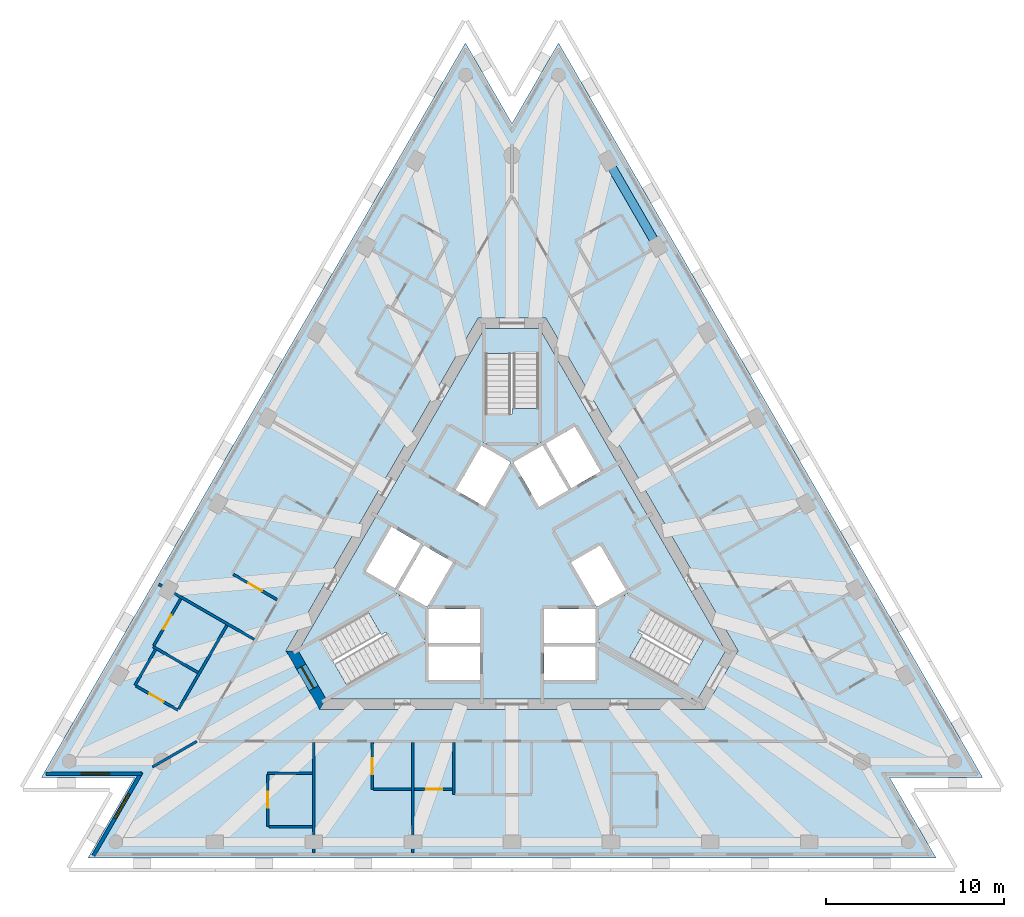
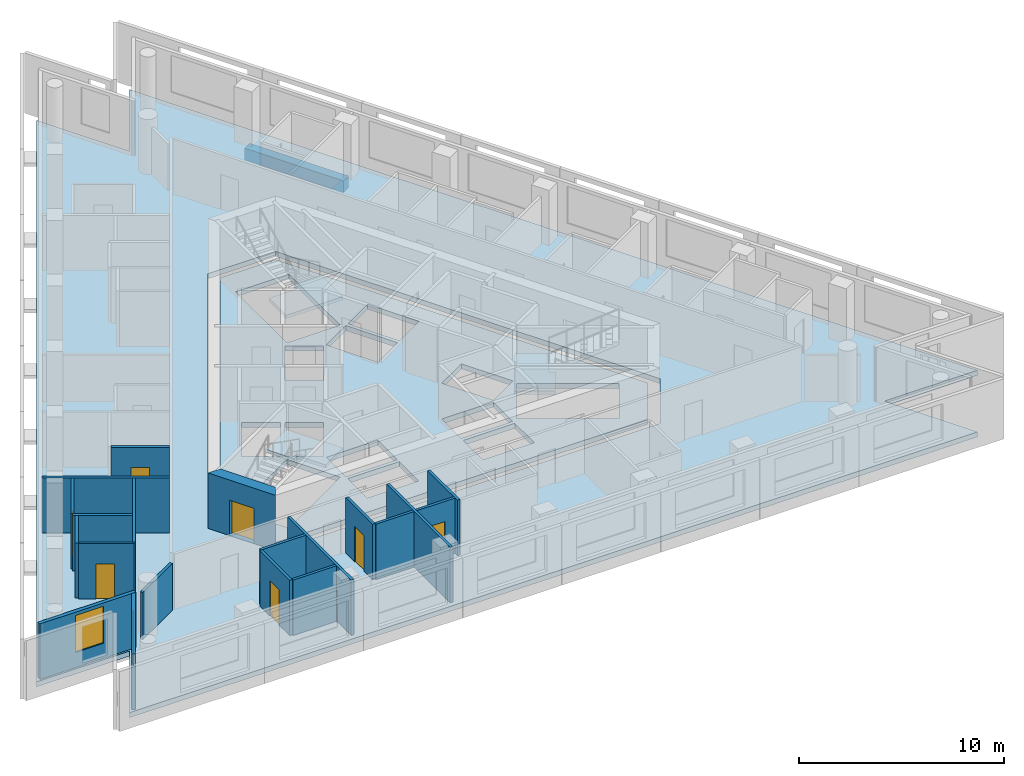
# One storey, part 2 of 10: 20 walls, 7 doors, 5 slabs, 2 windows, 1 beam, 9 openings, 3 elements without a shape of their own.
"""IFC4 building model written with IfcOpenShell, lengths in metres."""

import ifcopenshell
import ifcopenshell.guid

model = None  # the IFC model being written
_history = None  # IfcOwnerHistory: only IFC2X3 demands one
_inside = {}  # id of a spatial element -> (the spatial element, [elements in it])
_under = {}  # id of a project, library or spatial element -> (it, [spatial elements below it])
_declared = {}  # id of a project -> (the project, [libraries it declares])
_typed = {}  # id of a type object -> (the type object, [elements of that type])
_made_of = {}  # id of a material, layer set ... -> (it, [elements and type objects made of it])


def new_model(schema):
    """Start an empty IFC model of exactly this schema.

    Asked for "IFC4X3", IfcOpenShell would pick the latest addendum, in which some entities
    have other attributes; the version numbers below select the first issue.
    IFC2X3 requires an IfcOwnerHistory on every rooted entity: one is made here for all.
    """
    global model, _history
    if schema == "IFC4X3":
        model = ifcopenshell.file(schema_version=(4, 3, 0, 0))
    else:
        model = ifcopenshell.file(schema=schema)
    _inside.clear()
    _under.clear()
    _declared.clear()
    _typed.clear()
    _made_of.clear()
    _history = None
    if model.schema == "IFC2X3":
        org = make("IfcOrganization", Name="unknown")
        user = make(
            "IfcPersonAndOrganization",
            ThePerson=make("IfcPerson", FamilyName="unknown"),
            TheOrganization=org,
        )
        app = make(
            "IfcApplication",
            ApplicationDeveloper=org,
            Version="unknown",
            ApplicationFullName="unknown",
            ApplicationIdentifier="unknown",
        )
        _history = make(
            "IfcOwnerHistory",
            OwningUser=user,
            OwningApplication=app,
            ChangeAction="ADDED",
            CreationDate=0,
        )
    return model


def make(cls, **values):
    """One entity of the class cls with the attributes given. An attribute that is None is left unset."""
    return model.create_entity(
        cls, **{name: value for name, value in values.items() if value is not None}
    )


def rooted(cls, **values):
    """An entity with a GlobalId (a new one), such as an element, a storey or a relation."""
    return make(cls, GlobalId=ifcopenshell.guid.new(), OwnerHistory=_history, **values)


def si_unit(unit_type, name, prefix=None):
    """IfcSIUnit, for example si_unit("LENGTHUNIT", "METRE", prefix="MILLI")."""
    return make("IfcSIUnit", UnitType=unit_type, Prefix=prefix, Name=name)


def assignment(units):
    """IfcUnitAssignment: the units of a project."""
    return None if units is None else make("IfcUnitAssignment", Units=units)


def point(xyz):
    """IfcCartesianPoint."""
    return None if xyz is None else make("IfcCartesianPoint", Coordinates=xyz)


def direction(xyz):
    """IfcDirection."""
    return None if xyz is None else make("IfcDirection", DirectionRatios=xyz)


def frame(location, z_axis=None, x_axis=None):
    """IfcAxis2Placement3D, a coordinate frame: its origin and axes. An axis left out is left unset."""
    return make(
        "IfcAxis2Placement3D",
        Location=point(location),
        Axis=direction(z_axis),
        RefDirection=direction(x_axis),
    )


def frame_2d(location, x_axis=None):
    """IfcAxis2Placement2D, a coordinate frame in the plane: its origin and x axis."""
    return make(
        "IfcAxis2Placement2D", Location=point(location), RefDirection=direction(x_axis)
    )


def origin():
    """The frame at (0, 0, 0) with its axes left unset."""
    return frame((0.0, 0.0, 0.0))


def origin_2d():
    """The frame at (0, 0) in the plane with its x axis left unset."""
    return frame_2d((0.0, 0.0))


def place(relative_to, where):
    """IfcLocalPlacement: puts the frame where relative to a parent placement (None: the world)."""
    return make(
        "IfcLocalPlacement", PlacementRelTo=relative_to, RelativePlacement=where
    )


def context(
    kind, dimensions, precision=None, world=None, true_north=None, identifier=None
):
    """IfcGeometricRepresentationContext, for example the 3D "Model" context."""
    return make(
        "IfcGeometricRepresentationContext",
        ContextIdentifier=identifier,
        ContextType=kind,
        CoordinateSpaceDimension=dimensions,
        Precision=precision,
        WorldCoordinateSystem=world,
        TrueNorth=true_north,
    )


def subcontext(parent, identifier, kind, view, scale=None):
    """IfcGeometricRepresentationSubContext, for example "Body" below "Model"."""
    return make(
        "IfcGeometricRepresentationSubContext",
        ContextIdentifier=identifier,
        ContextType=kind,
        ParentContext=parent,
        TargetScale=scale,
        TargetView=view,
    )


def project(units=None, contexts=None):
    """IfcProject with its units and contexts."""
    return rooted(
        "IfcProject",
        Name="project",
        RepresentationContexts=contexts,
        UnitsInContext=assignment(units),
    )


def spatial(cls, under=None, at=None, **own):
    """A site, building, storey or space (cls), placed at a placement, below another one or the project."""
    s = rooted(cls, ObjectPlacement=at, **own)
    if under is not None:
        _under.setdefault(under.id(), (under, []))[1].append(s)
    return s


def polyline(points):
    """IfcPolyline through the points."""
    return make("IfcPolyline", Points=[point(p) for p in points])


def profile(cls, at=None, kind="AREA", **sizes):
    """A parametric profile (cls). Its sizes go by their IFC names, for example OverallWidth=200.0."""
    return make(cls, ProfileType=kind, Position=at, **sizes)


def rectangle(**sizes):
    """IfcRectangleProfileDef."""
    return profile("IfcRectangleProfileDef", **sizes)


def outline(outer, holes=None, kind="AREA"):
    """IfcArbitraryClosedProfileDef: a profile drawn as a closed curve; with holes, ...WithVoids."""
    if holes is None:
        return make("IfcArbitraryClosedProfileDef", ProfileType=kind, OuterCurve=outer)
    return make(
        "IfcArbitraryProfileDefWithVoids",
        ProfileType=kind,
        OuterCurve=outer,
        InnerCurves=holes,
    )


def extrude(swept, where, along, depth):
    """IfcExtrudedAreaSolid: the profile swept, set in the frame where, extruded along a direction by depth."""
    return make(
        "IfcExtrudedAreaSolid",
        SweptArea=swept,
        Position=where,
        ExtrudedDirection=direction(along),
        Depth=depth,
    )


def shape(context_of_items, identifier, shape_type, items):
    """IfcShapeRepresentation: the items that make up one representation, for example the "Body"."""
    return make(
        "IfcShapeRepresentation",
        ContextOfItems=context_of_items,
        RepresentationIdentifier=identifier,
        RepresentationType=shape_type,
        Items=items,
    )


def material(Name=None, Category=None):
    """IfcMaterial."""
    return make("IfcMaterial", Name=Name, Category=Category)


def layer(
    of_material, thickness, ventilated=None, Name=None, Category=None, Priority=None
):
    """IfcMaterialLayer: one layer of a wall or slab, of a material (None: an air gap)."""
    return make(
        "IfcMaterialLayer",
        Material=of_material,
        LayerThickness=thickness,
        IsVentilated=ventilated,
        Name=Name,
        Category=Category,
        Priority=Priority,
    )


def layer_set(layers, Name=None):
    """IfcMaterialLayerSet."""
    return make("IfcMaterialLayerSet", MaterialLayers=layers, LayerSetName=Name)


def layer_usage(for_layer_set, set_direction, sense, offset, extent=None):
    """IfcMaterialLayerSetUsage: how a layer set lies in its element."""
    return make(
        "IfcMaterialLayerSetUsage",
        ForLayerSet=for_layer_set,
        LayerSetDirection=set_direction,
        DirectionSense=sense,
        OffsetFromReferenceLine=offset,
        ReferenceExtent=extent,
    )


def material_profile(
    of_material, cross_section, Name=None, Category=None, Priority=None
):
    """IfcMaterialProfile: a cross section and its material."""
    return make(
        "IfcMaterialProfile",
        Name=Name,
        Material=of_material,
        Profile=cross_section,
        Priority=Priority,
        Category=Category,
    )


def profile_set(profiles, Name=None, composite=None):
    """IfcMaterialProfileSet."""
    return make(
        "IfcMaterialProfileSet",
        Name=Name,
        MaterialProfiles=profiles,
        CompositeProfile=composite,
    )


def made_of(thing, what):
    """Note that an element or type object is made of a material, layer set ...; save() writes the relation."""
    if what is not None:
        _made_of.setdefault(what.id(), (what, []))[1].append(thing)
    return thing


def type_object(cls, material=None, **own):
    """A type object (cls), such as IfcWallType, which elements share."""
    return made_of(rooted(cls, **own), material)


def element(
    cls,
    number,
    at=None,
    inside=None,
    cuts=None,
    type_object=None,
    material=None,
    context=None,
    identifier="Body",
    shape_type=None,
    held_by="IfcProductDefinitionShape",
    body=None,
    shapes=None,
    **own,
):
    """One element of the class cls, such as IfcWall. Its Tag is "e" and its number.

    at: its placement. inside: the storey or other place that contains it. cuts: it is an
    opening in that element (IfcRelVoidsElement). A single representation is given by context,
    identifier, shape_type and body (its items); several are given by shapes. held_by: the class
    of the entity that holds the representations. save() writes the other relations.
    """
    e = rooted(cls, Tag="e%d" % number, ObjectPlacement=at, **own)
    if body is not None:
        shapes = [shape(context, identifier, shape_type, body)]
    if shapes is not None:
        e.Representation = make(held_by, Representations=shapes)
    if inside is not None:
        _inside.setdefault(inside.id(), (inside, []))[1].append(e)
    if cuts is not None:
        rooted(
            "IfcRelVoidsElement", RelatingBuildingElement=cuts, RelatedOpeningElement=e
        )
    if type_object is not None:
        _typed.setdefault(type_object.id(), (type_object, []))[1].append(e)
    return made_of(e, material)


def fill(opening, filler):
    """IfcRelFillsElement: the door or window that sits in an opening."""
    return rooted(
        "IfcRelFillsElement",
        RelatingOpeningElement=opening,
        RelatedBuildingElement=filler,
    )


def aggregate(whole, parts):
    """IfcRelAggregates: a whole, such as a stair, and the parts it consists of."""
    return rooted("IfcRelAggregates", RelatingObject=whole, RelatedObjects=parts)


def save(model, path):
    """Write the relations noted so far, then the file.

    IfcRelAggregates (storeys below a building ...), IfcRelContainedInSpatialStructure (elements
    in a storey), IfcRelDefinesByType, IfcRelAssociatesMaterial and IfcRelDeclares: one each for
    every whole, place, type object, material and project.
    """
    for whole, parts in _under.values():
        aggregate(whole, parts)
    for where, things in _inside.values():
        rooted(
            "IfcRelContainedInSpatialStructure",
            RelatedElements=things,
            RelatingStructure=where,
        )
    for kind, things in _typed.values():
        rooted("IfcRelDefinesByType", RelatedObjects=things, RelatingType=kind)
    for what, things in _made_of.values():
        rooted("IfcRelAssociatesMaterial", RelatedObjects=things, RelatingMaterial=what)
    for by, libraries in _declared.values():
        rooted("IfcRelDeclares", RelatingContext=by, RelatedDefinitions=libraries)
    model.write(path)


model = new_model("IFC4")

# Units and contexts
model_context = context("Model", 3, precision=1e-05, world=origin(), true_north=direction((0.0, 1.0)))
body_context = subcontext(model_context, "Body", "Model", "MODEL_VIEW")
ifc_project = project(units=[si_unit("LENGTHUNIT", "METRE"), si_unit("AREAUNIT", "SQUARE_METRE"), si_unit("VOLUMEUNIT", "CUBIC_METRE"), si_unit("PLANEANGLEUNIT", "RADIAN"), si_unit("MASSUNIT", "GRAM", prefix="KILO")], contexts=[model_context])

# Site, building, storey
site_placement = place(None, origin())
site = spatial("IfcSite", under=ifc_project, at=site_placement, CompositionType="ELEMENT")
building_placement = place(site_placement, origin())
building = spatial("IfcBuilding", under=site, at=building_placement, Name="Triada Interchange Tower", CompositionType="ELEMENT")
storey_placement = place(building_placement, frame((0.0, 0.0, 275.5)))
storey = spatial("IfcBuildingStorey", under=building, at=storey_placement, Name="L64", CompositionType="ELEMENT", Elevation=275.5)

# Beam
ifc_material_1 = material(Name="Concrete C50/60", Category="concrete")
ifc_material_profile = material_profile(ifc_material_1, rectangle(XDim=0.5, YDim=0.699951171875, at=origin_2d()), Name="RC 500x700")
ifc_profile_set = profile_set([ifc_material_profile], Name="Concrete C50/60")
beam_type = type_object("IfcBeamType", Name="Spandrel beam D RC 500x700", PredefinedType="BEAM", material=ifc_profile_set)
beam_placement = place(storey_placement, frame((8.202880859375, 17.6259765625, -0.64990234375), z_axis=(-0.499926960557, 0.86606756902, 0.0), x_axis=(-0.86606756902, -0.499926960557, 0.0)))
element("IfcBeam", 1, at=beam_placement, inside=storey, type_object=beam_type, Name="Spandrel beam ED27 L64", PredefinedType="BEAM", context=body_context, shape_type="SweptSolid", body=[
    extrude(rectangle(XDim=0.5, YDim=0.699951171875, at=origin_2d()), origin(), (0.0, 0.0, 1.0), 5.580322265625),
])

# Slabs
ifc_layer_1 = layer(ifc_material_1, 0.300048828125)
ifc_layer_set_1 = layer_set([ifc_layer_1], Name="Floor slab 300")
slab_type_1 = type_object("IfcSlabType", Name="Floor slab 300", PredefinedType="FLOOR", material=ifc_layer_set_1)
slab_1_placement = place(storey_placement, frame((0.0, 0.0, -0.300048828125)))
element("IfcSlab", 2, at=slab_1_placement, inside=storey, type_object=slab_type_1, Name="Floor slab L64", PredefinedType="FLOOR", context=body_context, shape_type="SweptSolid", body=[
    extrude(outline(polyline([(-2.6220703125, 29.093017578125), (-26.506103515625, -12.27587890625), (-21.262939453125, -12.27587890625), (-23.885009765625, -16.81689453125), (23.885009765625, -16.81689453125), (21.262939453125, -12.27587890625), (26.506103515625, -12.27587890625), (2.6220703125, 29.093017578125), (0.0, 24.552978515625), (-2.6220703125, 29.093017578125)]), holes=[polyline([(1.905029296875, 13.60009765625), (-1.905029296875, 13.60009765625), (-12.73095703125, -5.14990234375), (-10.824951171875, -8.449951171875), (10.824951171875, -8.449951171875), (12.73095703125, -5.14990234375), (1.905029296875, 13.60009765625)])]), origin(), (0.0, 0.0, 1.0), 0.300048828125),
])
slab_2_placement = place(storey_placement, frame((0.0, 0.0, -0.300048828125)))
element("IfcSlab", 3, at=slab_2_placement, inside=storey, type_object=slab_type_1, Name="Core floor slab L64 1", PredefinedType="FLOOR", context=body_context, shape_type="SweptSolid", body=[
    extrude(outline(polyline([(12.0380859375, -5.14990234375), (10.47900390625, -7.85009765625), (-10.47900390625, -7.85009765625), (-12.0380859375, -5.14990234375), (-1.55908203125, 13.0), (1.55908203125, 13.0), (12.0380859375, -5.14990234375)]), holes=[polyline([(9.2958984375, -7.09912109375), (10.7958984375, -4.5009765625), (6.466064453125, -2.0009765625), (4.966064453125, -4.59912109375), (9.2958984375, -7.09912109375)]), polyline([(4.969970703125, 0.791015625), (3.324951171875, -0.158935546875), (4.77490234375, -2.669921875), (6.419921875, -1.719970703125), (4.969970703125, 0.791015625)]), polyline([(1.89404296875, 6.52001953125), (3.343994140625, 4.009033203125), (4.989013671875, 4.958984375), (3.5390625, 7.469970703125), (1.89404296875, 6.52001953125)]), polyline([(1.800048828125, -4.89990234375), (1.800048828125, -6.4990234375), (1.800048828125, -6.800048828125), (4.699951171875, -6.800048828125), (4.699951171875, -4.89990234375), (1.800048828125, -4.89990234375)]), polyline([(4.699951171875, -2.800048828125), (1.800048828125, -2.800048828125), (1.800048828125, -4.699951171875), (4.699951171875, -4.699951171875), (4.699951171875, -2.800048828125)]), polyline([(1.52490234375, 2.958984375), (2.594970703125, 3.576904296875), (3.169921875, 3.908935546875), (1.719970703125, 6.419921875), (0.074951171875, 5.469970703125), (1.52490234375, 2.958984375)]), polyline([(-1.5, 11.60009765625), (-1.5, 6.60009765625), (1.5, 6.60009765625), (1.5, 11.60009765625), (-1.5, 11.60009765625)]), polyline([(-1.52490234375, 2.958984375), (-0.074951171875, 5.469970703125), (-1.719970703125, 6.419921875), (-3.169921875, 3.908935546875), (-1.52490234375, 2.958984375)]), polyline([(-1.800048828125, -2.800048828125), (-4.699951171875, -2.800048828125), (-4.699951171875, -4.699951171875), (-1.800048828125, -4.699951171875), (-1.800048828125, -2.800048828125)]), polyline([(-4.699951171875, -6.800048828125), (-1.800048828125, -6.800048828125), (-1.800048828125, -6.4990234375), (-1.800048828125, -4.89990234375), (-4.699951171875, -4.89990234375), (-4.699951171875, -6.800048828125)]), polyline([(-3.427978515625, -0.09912109375), (-4.969970703125, 0.791015625), (-6.419921875, -1.719970703125), (-4.77490234375, -2.669921875), (-3.324951171875, -0.158935546875), (-3.427978515625, -0.09912109375)]), polyline([(-10.7958984375, -4.5009765625), (-9.2958984375, -7.09912109375), (-4.966064453125, -4.59912109375), (-6.466064453125, -2.0009765625), (-10.7958984375, -4.5009765625)]), polyline([(-6.593994140625, -1.6201171875), (-5.14404296875, 0.89111328125), (-6.7890625, 1.841064453125), (-8.239013671875, -0.669921875), (-6.593994140625, -1.6201171875)])]), origin(), (0.0, 0.0, 1.0), 0.300048828125),
])

# Stair, slab
ifc_material_2 = material(Name="Concrete C35/45", Category="concrete")
stair_type = type_object("IfcStairType", Name="HALF TURN STAIR 1400", PredefinedType="HALF_TURN_STAIR", material=ifc_material_2)
stair_1_placement = place(storey_placement, origin())
stair_1 = element("IfcStair", 4, at=stair_1_placement, inside=storey, type_object=stair_type, Name="Exit stair S62-1", PredefinedType="HALF_TURN_STAIR")
ifc_layer_2 = layer(ifc_material_2, 0.199951171875)
ifc_layer_set_2 = layer_set([ifc_layer_2], Name="STAIR LANDING 200")
slab_type_2 = type_object("IfcSlabType", Name="STAIR LANDING 200", PredefinedType="LANDING", material=ifc_layer_set_2)
slab_3_placement = place(storey_placement, frame((0.0, 0.0, 1.521728515625)))
slab_3 = element("IfcSlab", 5, at=slab_3_placement, type_object=slab_type_2, Name="S62-1 landing 1", PredefinedType="LANDING", context=body_context, shape_type="SweptSolid", body=[
    extrude(outline(polyline([(1.60009765625, 6.5), (1.60009765625, 8.5), (0.0, 8.5), (0.0, 8.18994140625), (-1.60009765625, 8.18994140625), (-1.60009765625, 6.5), (1.60009765625, 6.5)])), origin(), (0.0, 0.0, 1.0), 0.199951171875),
])
aggregate(stair_1, [slab_3])

stair_2_placement = place(storey_placement, origin())
stair_2 = element("IfcStair", 6, at=stair_2_placement, inside=storey, type_object=stair_type, Name="Exit stair S62-2", PredefinedType="HALF_TURN_STAIR")
slab_4_placement = place(storey_placement, frame((0.0, 0.0, 1.521728515625)))
slab_4 = element("IfcSlab", 7, at=slab_4_placement, type_object=slab_type_2, Name="S62-2 landing 1", PredefinedType="LANDING", context=body_context, shape_type="SweptSolid", body=[
    extrude(outline(polyline([(-6.428955078125, -1.864013671875), (-8.160888671875, -2.864013671875), (-7.361083984375, -4.25), (-7.093017578125, -4.094970703125), (-6.29296875, -5.48095703125), (-4.8291015625, -4.635986328125), (-6.428955078125, -1.864013671875)])), origin(), (0.0, 0.0, 1.0), 0.199951171875),
])
aggregate(stair_2, [slab_4])

stair_3_placement = place(storey_placement, origin())
stair_3 = element("IfcStair", 8, at=stair_3_placement, inside=storey, type_object=stair_type, Name="Exit stair S62-3", PredefinedType="HALF_TURN_STAIR")
slab_5_placement = place(storey_placement, frame((0.0, 0.0, 1.521728515625)))
slab_5 = element("IfcSlab", 9, at=slab_5_placement, type_object=slab_type_2, Name="S62-3 landing 1", PredefinedType="LANDING", context=body_context, shape_type="SweptSolid", body=[
    extrude(outline(polyline([(4.8291015625, -4.635986328125), (6.56103515625, -5.635986328125), (7.361083984375, -4.25), (7.093017578125, -4.094970703125), (7.89306640625, -2.708984375), (6.428955078125, -1.864013671875), (4.8291015625, -4.635986328125)])), origin(), (0.0, 0.0, 1.0), 0.199951171875),
])
aggregate(stair_3, [slab_5])

# Wall, opening, door
ifc_material_3 = material(Name="Concrete C40/50", Category="concrete")
ifc_layer_3 = layer(ifc_material_3, 0.60009765625)
ifc_layer_set_3 = layer_set([ifc_layer_3], Name="Core wall D 600")
wall_type_1 = type_object("IfcWallType", Name="Core wall D 600", PredefinedType="SHEAR", material=ifc_layer_set_3)
wall_1_placement = place(storey_placement, frame((-12.384033203125, -5.14990234375, -0.300048828125), z_axis=(0.0, 0.0, 1.0), x_axis=(0.49997462182, -0.866040055388, 0.0)))
wall_1 = element("IfcWall", 10, at=wall_1_placement, inside=storey, type_object=wall_type_1, Name="Core wall WD03 L64", PredefinedType="SHEAR", context=body_context, shape_type="SweptSolid", body=[
    extrude(outline(polyline([(-0.173095703125, -0.301025390625), (1.73193359375, -0.300537109375), (3.636962890625, -0.300048828125), (3.291015625, 0.300048828125), (1.73193359375, 0.300048828125), (0.173095703125, 0.300048828125), (-0.173095703125, -0.301025390625)])), origin(), (0.0, 0.0, 1.0), 3.60009765625),
])
opening_1_placement = place(wall_1_placement, frame((1.031982421875, 0.0, 0.300048828125)))
opening_1 = element("IfcOpeningElement", 11, at=opening_1_placement, cuts=wall_1, Name="Opening D62-49", PredefinedType="OPENING", context=body_context, shape_type="SweptSolid", body=[
    extrude(rectangle(XDim=1.39990234375, YDim=2.10009765625, at=frame_2d((0.699951171875, 1.050048828125))), frame((0.0, 0.31005859375, 0.0), z_axis=(0.0, -1.0, 0.0), x_axis=(1.0, 0.0, 0.0)), (0.0, 0.0, 1.0), 0.62109375),
])
ifc_material_4 = material(Name="Steel S235 door leaf", Category="steel")
door_type_1 = type_object("IfcDoorType", Name="STAIR DOOR 1400 EI2 90-C5S200", OperationType="DOUBLE_DOOR_SINGLE_SWING", PredefinedType="DOOR", material=ifc_material_4)
door_1_placement = place(opening_1_placement, origin())
door_1 = element("IfcDoor", 12, at=door_1_placement, inside=storey, type_object=door_type_1, Name="Door D62-49 L64", OperationType="DOUBLE_DOOR_SINGLE_SWING", OverallHeight=2.10009765625, OverallWidth=1.39990234375, PredefinedType="DOOR", context=body_context, shape_type="SweptSolid", body=[
    extrude(rectangle(XDim=1.39990234375, YDim=2.10009765625, at=frame_2d((0.699951171875, 1.050048828125))), frame((0.0, 0.02490234375, 0.0), z_axis=(0.0, -1.0, 0.0), x_axis=(1.0, 0.0, 0.0)), (0.0, 0.0, 1.0), 0.050048828125),
])
fill(opening_1, door_1)

# Wall, opening, window
ifc_material_5 = material(Name="Cement board")
ifc_layer_4 = layer(ifc_material_5, 0.02001953125, Name="Cement board cladding")
ifc_material_6 = material(Name="Sheathing board")
ifc_layer_5 = layer(ifc_material_6, 0.014892578125, Name="Sheathing board")
ifc_material_7 = material(Name="Mineral wool")
ifc_layer_6 = layer(ifc_material_7, 0.14990234375, Name="Mineral wool between steel studs")
ifc_material_8 = material(Name="Gypsum board")
ifc_layer_7 = layer(ifc_material_8, 0.014892578125, Name="Plasterboard lining")
ifc_layer_set_4 = layer_set([ifc_layer_4, ifc_layer_5, ifc_layer_6, ifc_layer_7], Name="External wall 200")
ifc_layer_usage = layer_usage(ifc_layer_set_4, "AXIS2", "POSITIVE", -0.10009765625)
wall_type_2 = type_object("IfcWallType", Name="External wall 200", PredefinedType="ELEMENTEDWALL", material=ifc_layer_set_4)
wall_2_placement = place(storey_placement, frame((-26.25, -12.075927734375, 0.0), z_axis=(0.0, 0.0, 1.0), x_axis=(1.0, 0.0, 0.0)))
wall_2 = element("IfcWall", 13, at=wall_2_placement, inside=storey, type_object=wall_type_2, material=ifc_layer_usage, Name="External wall L64 SW-1", PredefinedType="ELEMENTEDWALL", context=body_context, shape_type="SweptSolid", body=[
    extrude(rectangle(XDim=5.403076171875, YDim=0.199951171875, at=frame_2d((2.70166015625, 0.0))), origin(), (0.0, 0.0, 1.0), 3.300048828125),
])
opening_2_placement = place(wall_2_placement, frame((1.989990234375, 0.0, 0.89990234375)))
opening_2 = element("IfcOpeningElement", 14, at=opening_2_placement, cuts=wall_2, Name="Opening WD09", PredefinedType="OPENING", context=body_context, shape_type="SweptSolid", body=[
    extrude(rectangle(XDim=1.60009765625, YDim=2.199951171875, at=frame_2d((0.800048828125, 1.10009765625))), frame((0.0, 0.10986328125, 0.0), z_axis=(0.0, -1.0, 0.0), x_axis=(1.0, 0.0, 0.0)), (0.0, 0.0, 1.0), 0.219970703125),
])
ifc_material_9 = material(Name="Double glazed aluminium window", Category="aluminium")
window_type = type_object("IfcWindowType", Name="Ribbon window D pocket", PartitioningType="SINGLE_PANEL", PredefinedType="WINDOW", material=ifc_material_9)
window_1_placement = place(opening_2_placement, origin())
window_1 = element("IfcWindow", 15, at=window_1_placement, inside=storey, type_object=window_type, Name="Window L64 SW-1 1", OverallHeight=2.199951171875, OverallWidth=1.60009765625, PartitioningType="SINGLE_PANEL", PredefinedType="WINDOW", context=body_context, shape_type="SweptSolid", body=[
    extrude(rectangle(XDim=1.60009765625, YDim=2.199951171875, at=frame_2d((0.800048828125, 1.10009765625))), frame((0.0, 0.030029296875, 0.0), z_axis=(0.0, -1.0, 0.0), x_axis=(1.0, 0.0, 0.0)), (0.0, 0.0, 1.0), 0.06005859375),
])
fill(opening_2, window_1)

wall_3_placement = place(storey_placement, frame((-20.8720703125, -11.998046875, 0.0), z_axis=(0.0, 0.0, 1.0), x_axis=(-0.499992297805, -0.866029850603, 0.0)))
wall_3 = element("IfcWall", 16, at=wall_3_placement, inside=storey, type_object=wall_type_2, material=ifc_layer_usage, Name="External wall L64 SW-2", PredefinedType="ELEMENTEDWALL", context=body_context, shape_type="SweptSolid", body=[
    extrude(rectangle(XDim=5.40380859375, YDim=0.199951171875, at=frame_2d((2.701904296875, 0.0))), origin(), (0.0, 0.0, 1.0), 3.300048828125),
])
opening_3_placement = place(wall_3_placement, frame((1.389892578125, 0.0, 0.89990234375)))
opening_3 = element("IfcOpeningElement", 17, at=opening_3_placement, cuts=wall_3, Name="Opening WD10", PredefinedType="OPENING", context=body_context, shape_type="SweptSolid", body=[
    extrude(rectangle(XDim=1.60009765625, YDim=2.199951171875, at=frame_2d((0.800048828125, 1.10009765625))), frame((0.0, 0.10986328125, 0.0), z_axis=(0.0, -1.0, 0.0), x_axis=(1.0, 0.0, 0.0)), (0.0, 0.0, 1.0), 0.219970703125),
])
window_2_placement = place(opening_3_placement, origin())
window_2 = element("IfcWindow", 18, at=window_2_placement, inside=storey, type_object=window_type, Name="Window L64 SW-2 1", OverallHeight=2.199951171875, OverallWidth=1.60009765625, PartitioningType="SINGLE_PANEL", PredefinedType="WINDOW", context=body_context, shape_type="SweptSolid", body=[
    extrude(rectangle(XDim=1.60009765625, YDim=2.199951171875, at=frame_2d((0.800048828125, 1.10009765625))), frame((0.0, 0.030029296875, 0.0), z_axis=(0.0, -1.0, 0.0), x_axis=(1.0, 0.0, 0.0)), (0.0, 0.0, 1.0), 0.06005859375),
])
fill(opening_3, window_2)

# Walls
ifc_material_10 = material(Name="Gypsum board partition")
ifc_layer_8 = layer(ifc_material_10, 0.14990234375)
ifc_layer_set_5 = layer_set([ifc_layer_8], Name="PARTITION 150 EI 180")
wall_type_3 = type_object("IfcWallType", Name="PARTITION 150 EI 180", PredefinedType="PARTITIONING", material=ifc_layer_set_5)
wall_4_placement = place(storey_placement, frame((-20.240966796875, -11.68603515625, 0.0), z_axis=(0.0, 0.0, 1.0), x_axis=(0.86594358484, 0.5001416878, 0.0)))
element("IfcWall", 19, at=wall_4_placement, inside=storey, type_object=wall_type_3, Name="Wall L62 1", PredefinedType="PARTITIONING", context=body_context, shape_type="SweptSolid", body=[
    extrude(rectangle(XDim=2.873291015625, YDim=0.14990234375, at=frame_2d((1.4365234375, 0.0))), origin(), (0.0, 0.0, 1.0), 2.800048828125),
])
wall_5_placement = place(storey_placement, frame((-19.903076171875, -1.39892578125, 0.0), z_axis=(0.0, 0.0, 1.0), x_axis=(0.866043575568, -0.499968524226, 0.0)))
element("IfcWall", 20, at=wall_5_placement, inside=storey, type_object=wall_type_3, Name="Wall L62 3", PredefinedType="PARTITIONING", context=body_context, shape_type="SweptSolid", body=[
    extrude(rectangle(XDim=6.21240234375, YDim=0.14990234375, at=frame_2d((3.106201171875, 0.0))), origin(), (0.0, 0.0, 1.0), 3.300048828125),
])
for number, where, z_axis, x_axis, name in (
    (21, (-11.1630859375, -16.537109375, 0.0), (0.0, 0.0, 1.0), (0.0, 1.0, 0.0), "Wall L62 9"),
    (22, (-5.5810546875, -16.537109375, 0.0), (0.0, 0.0, 1.0), (0.0, 1.0, 0.0), "Wall L62 16"),
):
    element("IfcWall", number, at=place(storey_placement, frame(where, z_axis=z_axis, x_axis=x_axis)), inside=storey, type_object=wall_type_3, Name=name, PredefinedType="PARTITIONING", context=body_context, shape_type="SweptSolid", body=[
        extrude(rectangle(XDim=6.212158203125, YDim=0.14990234375, at=frame_2d((3.10595703125, 0.0))), origin(), (0.0, 0.0, 1.0), 3.300048828125),
    ])
wall_6_placement = place(storey_placement, frame((-3.281005859375, -13.25, 0.0), z_axis=(0.0, 0.0, 1.0), x_axis=(0.0, 1.0, 0.0)))
element("IfcWall", 23, at=wall_6_placement, inside=storey, type_object=wall_type_3, Name="Wall L62 17", PredefinedType="PARTITIONING", context=body_context, shape_type="SweptSolid", body=[
    extrude(rectangle(XDim=2.925048828125, YDim=0.14990234375, at=frame_2d((1.46240234375, 0.0))), origin(), (0.0, 0.0, 1.0), 3.300048828125),
])
ifc_layer_9 = layer(ifc_material_10, 0.14990234375)
ifc_layer_set_6 = layer_set([ifc_layer_9], Name="PARTITION 150 EI 90")
wall_type_4 = type_object("IfcWallType", Name="PARTITION 150 EI 90", PredefinedType="PARTITIONING", material=ifc_layer_set_6)
wall_7_placement = place(storey_placement, frame((-20.215087890625, -4.9140625, 0.0), z_axis=(0.0, 0.0, 1.0), x_axis=(0.866118873815, -0.499838070201, 0.0)))
element("IfcWall", 24, at=wall_7_placement, inside=storey, type_object=wall_type_4, Name="Wall L62 31", PredefinedType="PARTITIONING", context=body_context, shape_type="SweptSolid", body=[
    extrude(rectangle(XDim=2.9248046875, YDim=0.14990234375, at=frame_2d((1.46240234375, 0.0))), origin(), (0.0, 0.0, 1.0), 3.300048828125),
])
wall_8_placement = place(storey_placement, frame((-21.241943359375, -7.092041015625, 0.0), z_axis=(0.0, 0.0, 1.0), x_axis=(0.500216356891, 0.865900454035, 0.0)))
element("IfcWall", 25, at=wall_8_placement, inside=storey, type_object=wall_type_4, Name="Wall L62 32", PredefinedType="PARTITIONING", context=body_context, shape_type="SweptSolid", body=[
    extrude(rectangle(XDim=2.32470703125, YDim=0.14990234375, at=frame_2d((1.162353515625, 0.0))), origin(), (0.0, 0.0, 1.0), 3.300048828125),
])

# Wall, opening, door
wall_9_placement = place(storey_placement, frame((-21.177001953125, -7.1298828125, 0.0), z_axis=(0.0, 0.0, 1.0), x_axis=(0.866112488944, -0.499849133735, 0.0)))
wall_9 = element("IfcWall", 26, at=wall_9_placement, inside=storey, type_object=wall_type_4, Name="Wall L62 33", PredefinedType="PARTITIONING", context=body_context, shape_type="SweptSolid", body=[
    extrude(rectangle(XDim=2.724853515625, YDim=0.14990234375, at=frame_2d((1.3623046875, 0.0))), origin(), (0.0, 0.0, 1.0), 3.300048828125),
])
opening_4_placement = place(wall_9_placement, frame((0.875, 0.0, 0.0)))
opening_4 = element("IfcOpeningElement", 27, at=opening_4_placement, cuts=wall_9, Name="Opening D62-46", PredefinedType="OPENING", context=body_context, shape_type="SweptSolid", body=[
    extrude(rectangle(XDim=0.89990234375, YDim=2.10009765625, at=frame_2d((0.449951171875, 1.050048828125))), frame((0.0, 0.0849609375, 0.0), z_axis=(0.0, -1.0, 0.0), x_axis=(1.0, 0.0, 0.0)), (0.0, 0.0, 1.0), 0.169921875),
])
door_type_2 = type_object("IfcDoorType", Name="SERVICE DOOR 900 EI2 45-C5S200", OperationType="NOTDEFINED", PredefinedType="DOOR", material=ifc_material_4)
door_2_placement = place(opening_4_placement, origin())
door_2 = element("IfcDoor", 28, at=door_2_placement, inside=storey, type_object=door_type_2, Name="Door D62-46 L64", OperationType="SINGLE_SWING_RIGHT", OverallHeight=2.10009765625, OverallWidth=0.89990234375, PredefinedType="DOOR", context=body_context, shape_type="SweptSolid", body=[
    extrude(rectangle(XDim=0.89990234375, YDim=2.10009765625, at=frame_2d((0.449951171875, 1.050048828125))), frame((0.0, 0.02490234375, 0.0), z_axis=(0.0, -1.0, 0.0), x_axis=(1.0, 0.0, 0.0)), (0.0, 0.0, 1.0), 0.050048828125),
])
fill(opening_4, door_2)

# Wall
wall_10_placement = place(storey_placement, frame((-18.780029296875, -8.427001953125, 0.0), z_axis=(0.0, 0.0, 1.0), x_axis=(0.500002931134, 0.866023711487, 0.0)))
element("IfcWall", 29, at=wall_10_placement, inside=storey, type_object=wall_type_4, Name="Wall L62 34", PredefinedType="PARTITIONING", context=body_context, shape_type="SweptSolid", body=[
    extrude(rectangle(XDim=5.4501953125, YDim=0.14990234375, at=frame_2d((2.72509765625, 0.0))), origin(), (0.0, 0.0, 1.0), 3.300048828125),
])

# Wall, opening, door
wall_11_placement = place(storey_placement, frame((-20.177978515625, -4.84912109375, 0.0), z_axis=(0.0, 0.0, 1.0), x_axis=(0.499874869213, 0.866097636026, 0.0)))
wall_11 = element("IfcWall", 30, at=wall_11_placement, inside=storey, type_object=wall_type_4, Name="Wall L62 36", PredefinedType="PARTITIONING", context=body_context, shape_type="SweptSolid", body=[
    extrude(rectangle(XDim=3.050537109375, YDim=0.14990234375, at=frame_2d((1.525390625, 0.0))), origin(), (0.0, 0.0, 1.0), 3.300048828125),
])
opening_5_placement = place(wall_11_placement, frame((1.074951171875, 0.0, 0.0)))
opening_5 = element("IfcOpeningElement", 31, at=opening_5_placement, cuts=wall_11, Name="Opening D62-45", PredefinedType="OPENING", context=body_context, shape_type="SweptSolid", body=[
    extrude(rectangle(XDim=0.89990234375, YDim=2.10009765625, at=frame_2d((0.449951171875, 1.050048828125))), frame((0.0, 0.0849609375, 0.0), z_axis=(0.0, -1.0, 0.0), x_axis=(1.0, 0.0, 0.0)), (0.0, 0.0, 1.0), 0.169921875),
])
door_type_3 = type_object("IfcDoorType", Name="ROOM DOOR 900 EI2 45-C5S200", OperationType="NOTDEFINED", PredefinedType="DOOR", material=ifc_material_4)
door_3_placement = place(opening_5_placement, origin())
door_3 = element("IfcDoor", 32, at=door_3_placement, inside=storey, type_object=door_type_3, Name="Door D62-45 L64", OperationType="SINGLE_SWING_LEFT", OverallHeight=2.10009765625, OverallWidth=0.89990234375, PredefinedType="DOOR", context=body_context, shape_type="SweptSolid", body=[
    extrude(rectangle(XDim=0.89990234375, YDim=2.10009765625, at=frame_2d((0.449951171875, 1.050048828125))), frame((0.0, 0.02490234375, 0.0), z_axis=(0.0, -1.0, 0.0), x_axis=(1.0, 0.0, 0.0)), (0.0, 0.0, 1.0), 0.050048828125),
])
fill(opening_5, door_3)

wall_12_placement = place(storey_placement, frame((-15.699951171875, -0.843994140625, 0.0), z_axis=(0.0, 0.0, 1.0), x_axis=(0.866004402611, -0.500036373335, 0.0)))
wall_12 = element("IfcWall", 33, at=wall_12_placement, inside=storey, type_object=wall_type_4, Name="Wall L62 42", PredefinedType="PARTITIONING", context=body_context, shape_type="SweptSolid", body=[
    extrude(rectangle(XDim=2.849853515625, YDim=0.14990234375, at=frame_2d((1.4248046875, 0.0))), origin(), (0.0, 0.0, 1.0), 3.300048828125),
])
opening_6_placement = place(wall_12_placement, frame((0.97509765625, 0.0, 0.0)))
opening_6 = element("IfcOpeningElement", 34, at=opening_6_placement, cuts=wall_12, Name="Opening D62-43", PredefinedType="OPENING", context=body_context, shape_type="SweptSolid", body=[
    extrude(rectangle(XDim=0.89990234375, YDim=2.10009765625, at=frame_2d((0.449951171875, 1.050048828125))), frame((0.0, 0.0849609375, 0.0), z_axis=(0.0, -1.0, 0.0), x_axis=(1.0, 0.0, 0.0)), (0.0, 0.0, 1.0), 0.169921875),
])
door_4_placement = place(opening_6_placement, origin())
door_4 = element("IfcDoor", 35, at=door_4_placement, inside=storey, type_object=door_type_3, Name="Door D62-43 L64", OperationType="SINGLE_SWING_RIGHT", OverallHeight=2.10009765625, OverallWidth=0.89990234375, PredefinedType="DOOR", context=body_context, shape_type="SweptSolid", body=[
    extrude(rectangle(XDim=0.89990234375, YDim=2.10009765625, at=frame_2d((0.449951171875, 1.050048828125))), frame((0.0, 0.02490234375, 0.0), z_axis=(0.0, -1.0, 0.0), x_axis=(1.0, 0.0, 0.0)), (0.0, 0.0, 1.0), 0.050048828125),
])
fill(opening_6, door_4)

# Wall
wall_13_placement = place(storey_placement, frame((-13.762939453125, -12.050048828125, 0.0), z_axis=(0.0, 0.0, 1.0), x_axis=(1.0, 0.0, 0.0)))
element("IfcWall", 36, at=wall_13_placement, inside=storey, type_object=wall_type_4, Name="Wall L62 43", PredefinedType="PARTITIONING", context=body_context, shape_type="SweptSolid", body=[
    extrude(rectangle(XDim=2.52490234375, YDim=0.14990234375, at=frame_2d((1.262451171875, 0.0))), origin(), (0.0, 0.0, 1.0), 3.300048828125),
])

# Wall, opening, door
wall_14_placement = place(storey_placement, frame((-13.762939453125, -15.050048828125, 0.0), z_axis=(0.0, 0.0, 1.0), x_axis=(0.0, 1.0, 0.0)))
wall_14 = element("IfcWall", 37, at=wall_14_placement, inside=storey, type_object=wall_type_4, Name="Wall L62 45", PredefinedType="PARTITIONING", context=body_context, shape_type="SweptSolid", body=[
    extrude(rectangle(XDim=2.925048828125, YDim=0.14990234375, at=frame_2d((1.46240234375, 0.0))), origin(), (0.0, 0.0, 1.0), 3.300048828125),
])
opening_7_placement = place(wall_14_placement, frame((1.050048828125, 0.0, 0.0)))
opening_7 = element("IfcOpeningElement", 38, at=opening_7_placement, cuts=wall_14, Name="Opening D62-12", PredefinedType="OPENING", context=body_context, shape_type="SweptSolid", body=[
    extrude(rectangle(XDim=0.89990234375, YDim=2.10009765625, at=frame_2d((0.449951171875, 1.050048828125))), frame((0.0, 0.0849609375, 0.0), z_axis=(0.0, -1.0, 0.0), x_axis=(1.0, 0.0, 0.0)), (0.0, 0.0, 1.0), 0.169921875),
])
door_5_placement = place(opening_7_placement, origin())
door_5 = element("IfcDoor", 39, at=door_5_placement, inside=storey, type_object=door_type_3, Name="Door D62-12 L64", OperationType="SINGLE_SWING_RIGHT", OverallHeight=2.10009765625, OverallWidth=0.89990234375, PredefinedType="DOOR", context=body_context, shape_type="SweptSolid", body=[
    extrude(rectangle(XDim=0.89990234375, YDim=2.10009765625, at=frame_2d((0.449951171875, 1.050048828125))), frame((0.0, 0.02490234375, 0.0), z_axis=(0.0, -1.0, 0.0), x_axis=(1.0, 0.0, 0.0)), (0.0, 0.0, 1.0), 0.050048828125),
])
fill(opening_7, door_5)

# Wall
wall_15_placement = place(storey_placement, frame((-13.68798828125, -15.050048828125, 0.0), z_axis=(0.0, 0.0, 1.0), x_axis=(1.0, 0.0, 0.0)))
element("IfcWall", 40, at=wall_15_placement, inside=storey, type_object=wall_type_4, Name="Wall L62 46", PredefinedType="PARTITIONING", context=body_context, shape_type="SweptSolid", body=[
    extrude(rectangle(XDim=2.449951171875, YDim=0.14990234375, at=frame_2d((1.22509765625, 0.0))), origin(), (0.0, 0.0, 1.0), 3.300048828125),
])

# Wall, opening, door
wall_16_placement = place(storey_placement, frame((-7.881103515625, -12.949951171875, 0.0), z_axis=(0.0, 0.0, 1.0), x_axis=(0.0, 1.0, 0.0)))
wall_16 = element("IfcWall", 41, at=wall_16_placement, inside=storey, type_object=wall_type_4, Name="Wall L62 48", PredefinedType="PARTITIONING", context=body_context, shape_type="SweptSolid", body=[
    extrude(rectangle(XDim=2.625, YDim=0.14990234375, at=frame_2d((1.3125, 0.0))), origin(), (0.0, 0.0, 1.0), 3.300048828125),
])
opening_8_placement = place(wall_16_placement, frame((0.85009765625, 0.0, 0.0)))
opening_8 = element("IfcOpeningElement", 42, at=opening_8_placement, cuts=wall_16, Name="Opening D62-14", PredefinedType="OPENING", context=body_context, shape_type="SweptSolid", body=[
    extrude(rectangle(XDim=0.89990234375, YDim=2.10009765625, at=frame_2d((0.449951171875, 1.050048828125))), frame((0.0, 0.0849609375, 0.0), z_axis=(0.0, -1.0, 0.0), x_axis=(1.0, 0.0, 0.0)), (0.0, 0.0, 1.0), 0.169921875),
])
door_6_placement = place(opening_8_placement, origin())
door_6 = element("IfcDoor", 43, at=door_6_placement, inside=storey, type_object=door_type_3, Name="Door D62-14 L64", OperationType="SINGLE_SWING_LEFT", OverallHeight=2.10009765625, OverallWidth=0.89990234375, PredefinedType="DOOR", context=body_context, shape_type="SweptSolid", body=[
    extrude(rectangle(XDim=0.89990234375, YDim=2.10009765625, at=frame_2d((0.449951171875, 1.050048828125))), frame((0.0, 0.02490234375, 0.0), z_axis=(0.0, -1.0, 0.0), x_axis=(1.0, 0.0, 0.0)), (0.0, 0.0, 1.0), 0.050048828125),
])
fill(opening_8, door_6)

# Wall
wall_17_placement = place(storey_placement, frame((-7.805908203125, -12.949951171875, 0.0), z_axis=(0.0, 0.0, 1.0), x_axis=(1.0, 0.0, 0.0)))
element("IfcWall", 44, at=wall_17_placement, inside=storey, type_object=wall_type_4, Name="Wall L62 49", PredefinedType="PARTITIONING", context=body_context, shape_type="SweptSolid", body=[
    extrude(rectangle(XDim=2.14990234375, YDim=0.14990234375, at=frame_2d((1.074951171875, 0.0))), origin(), (0.0, 0.0, 1.0), 3.300048828125),
])

# Wall, opening, door
wall_18_placement = place(storey_placement, frame((-5.506103515625, -12.949951171875, 0.0), z_axis=(0.0, 0.0, 1.0), x_axis=(1.0, 0.0, 0.0)))
wall_18 = element("IfcWall", 45, at=wall_18_placement, inside=storey, type_object=wall_type_4, Name="Wall L62 50", PredefinedType="PARTITIONING", context=body_context, shape_type="SweptSolid", body=[
    extrude(rectangle(XDim=2.150146484375, YDim=0.14990234375, at=frame_2d((1.0751953125, 0.0))), origin(), (0.0, 0.0, 1.0), 3.300048828125),
])
opening_9_placement = place(wall_18_placement, frame((0.675048828125, 0.0, 0.0)))
opening_9 = element("IfcOpeningElement", 46, at=opening_9_placement, cuts=wall_18, Name="Opening D62-16", PredefinedType="OPENING", context=body_context, shape_type="SweptSolid", body=[
    extrude(rectangle(XDim=0.89990234375, YDim=2.10009765625, at=frame_2d((0.449951171875, 1.050048828125))), frame((0.0, 0.0849609375, 0.0), z_axis=(0.0, -1.0, 0.0), x_axis=(1.0, 0.0, 0.0)), (0.0, 0.0, 1.0), 0.169921875),
])
door_7_placement = place(opening_9_placement, origin())
door_7 = element("IfcDoor", 47, at=door_7_placement, inside=storey, type_object=door_type_3, Name="Door D62-16 L64", OperationType="SINGLE_SWING_LEFT", OverallHeight=2.10009765625, OverallWidth=0.89990234375, PredefinedType="DOOR", context=body_context, shape_type="SweptSolid", body=[
    extrude(rectangle(XDim=0.89990234375, YDim=2.10009765625, at=frame_2d((0.449951171875, 1.050048828125))), frame((0.0, 0.02490234375, 0.0), z_axis=(0.0, -1.0, 0.0), x_axis=(1.0, 0.0, 0.0)), (0.0, 0.0, 1.0), 0.050048828125),
])
fill(opening_9, door_7)

save(model, "model.ifc")
